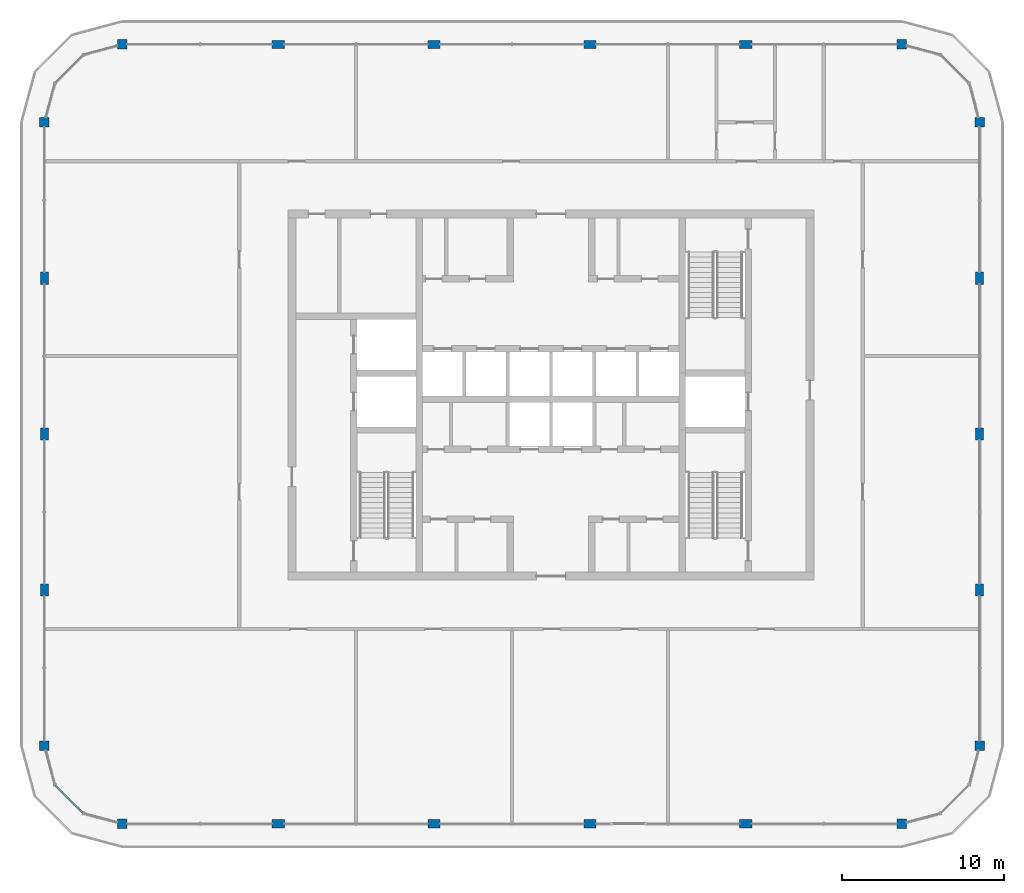
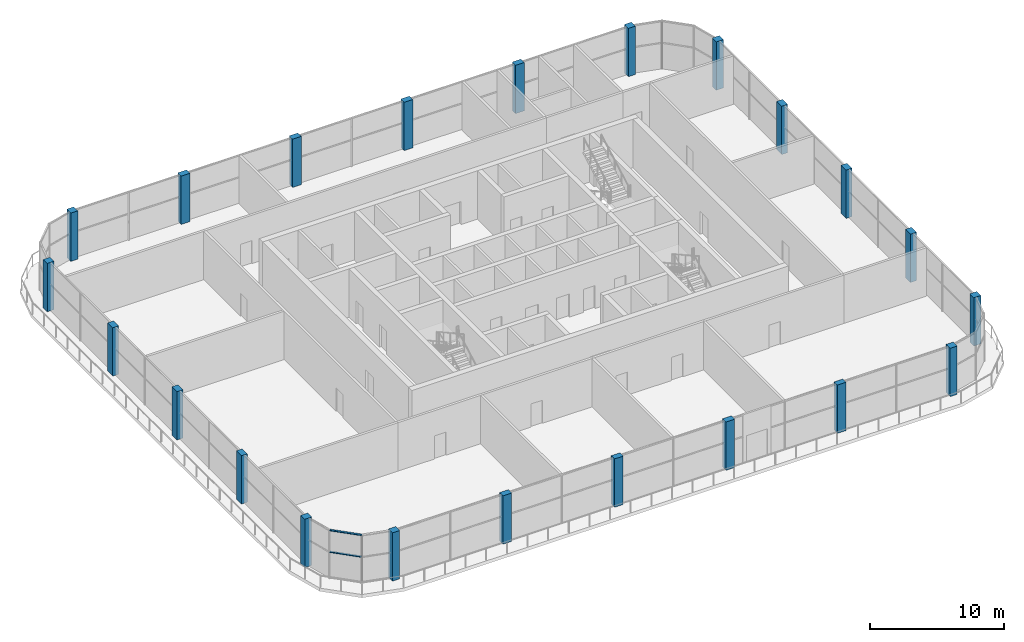
# One storey, part 1 of 15: 22 columns, 2 members, 1 element without a shape of its own.
"""IFC4 building model written with IfcOpenShell, lengths in metres."""

from ifc_helpers import new_model, si_unit, direction, frame, origin, origin_2d, place, context, subcontext, project, spatial, rectangle, extrude, material, layer, layer_set, material_profile, profile_set, type_object, element, aggregate, save


model = new_model("IFC4")

# Units and contexts
model_context = context("Model", 3, precision=1e-05, world=origin(), true_north=direction((0.0, 1.0)))
body_context = subcontext(model_context, "Body", "Model", "MODEL_VIEW")
ifc_project = project(units=[si_unit("LENGTHUNIT", "METRE"), si_unit("AREAUNIT", "SQUARE_METRE"), si_unit("VOLUMEUNIT", "CUBIC_METRE"), si_unit("PLANEANGLEUNIT", "RADIAN"), si_unit("MASSUNIT", "GRAM", prefix="KILO")], contexts=[model_context])

# Site, building, storey
site_placement = place(None, origin())
site = spatial("IfcSite", under=ifc_project, at=site_placement, CompositionType="ELEMENT")
building_placement = place(site_placement, origin())
building = spatial("IfcBuilding", under=site, at=building_placement, Name="Madar Terraces", CompositionType="ELEMENT")
storey_placement = place(building_placement, frame((0.0, 0.0, 291.5)))
storey = spatial("IfcBuildingStorey", under=building, at=storey_placement, Name="L76", CompositionType="ELEMENT", Elevation=291.5)

# Columns
ifc_material_1 = material(Name="Concrete C50/60", Category="concrete")
ifc_material_profile_1 = material_profile(ifc_material_1, rectangle(XDim=0.75, YDim=0.5, at=origin_2d()), Name="CC6 RC 750x500")
ifc_profile_set_1 = profile_set([ifc_material_profile_1], Name="Concrete C50/60")
column_type_1 = type_object("IfcColumnType", Name="CC6 RC 750x500", PredefinedType="COLUMN", material=ifc_profile_set_1)
for number, where, z_axis, x_axis, name in (
    (1, (14.39990234375, 0.0, 0.0), (0.0, 0.0, 1.0), (1.0, 0.0, 0.0), "Perimeter column S2"),
    (2, (24.0, 0.0, 0.0), (0.0, 0.0, 1.0), (1.0, 0.0, 0.0), "Perimeter column S3"),
    (3, (33.60009765625, 0.0, 0.0), (0.0, 0.0, 1.0), (1.0, 0.0, 0.0), "Perimeter column S4"),
    (4, (43.199951171875, 0.0, 0.0), (0.0, 0.0, 1.0), (1.0, 0.0, 0.0), "Perimeter column S5"),
    (5, (57.60009765625, 14.39990234375, 0.0), (0.0, 0.0, 1.0), (0.0, 1.0, 0.0), "Perimeter column E2"),
    (6, (57.60009765625, 24.0, 0.0), (0.0, 0.0, 1.0), (0.0, 1.0, 0.0), "Perimeter column E3"),
    (7, (57.60009765625, 33.60009765625, 0.0), (0.0, 0.0, 1.0), (0.0, 1.0, 0.0), "Perimeter column E4"),
    (8, (43.199951171875, 48.0, 0.0), (0.0, 0.0, 1.0), (1.0, 0.0, 0.0), "Perimeter column N2"),
    (9, (33.60009765625, 48.0, 0.0), (0.0, 0.0, 1.0), (1.0, 0.0, 0.0), "Perimeter column N3"),
    (10, (24.0, 48.0, 0.0), (0.0, 0.0, 1.0), (1.0, 0.0, 0.0), "Perimeter column N4"),
    (11, (14.39990234375, 48.0, 0.0), (0.0, 0.0, 1.0), (1.0, 0.0, 0.0), "Perimeter column N5"),
    (12, (0.0, 33.60009765625, 0.0), (0.0, 0.0, 1.0), (0.0, 1.0, 0.0), "Perimeter column W2"),
    (13, (0.0, 24.0, 0.0), (0.0, 0.0, 1.0), (0.0, 1.0, 0.0), "Perimeter column W3"),
    (14, (0.0, 14.39990234375, 0.0), (0.0, 0.0, 1.0), (0.0, 1.0, 0.0), "Perimeter column W4"),
):
    element("IfcColumn", number, at=place(storey_placement, frame(where, z_axis=z_axis, x_axis=x_axis)), inside=storey, type_object=column_type_1, Name=name, PredefinedType="COLUMN", context=body_context, shape_type="SweptSolid", body=[
        extrude(rectangle(XDim=0.75, YDim=0.5, at=origin_2d()), origin(), (0.0, 0.0, 1.0), 4.39990234375),
    ])
ifc_material_2 = material(Name="Concrete C50/60", Category="concrete")
ifc_material_profile_2 = material_profile(ifc_material_2, rectangle(XDim=0.60009765625, YDim=0.60009765625, at=origin_2d()), Name="KC6 RC 600x600")
ifc_profile_set_2 = profile_set([ifc_material_profile_2], Name="Concrete C50/60")
column_type_2 = type_object("IfcColumnType", Name="KC6 RC 600x600", PredefinedType="COLUMN", material=ifc_profile_set_2)
for number, where, z_axis, x_axis, name in (
    (15, (4.800048828125, 0.0, 0.0), (0.0, 0.0, 1.0), (1.0, 0.0, 0.0), "Perimeter column S1"),
    (16, (52.800048828125, 0.0, 0.0), (0.0, 0.0, 1.0), (1.0, 0.0, 0.0), "Perimeter column S6"),
    (17, (57.60009765625, 4.800048828125, 0.0), (0.0, 0.0, 1.0), (1.0, 0.0, 0.0), "Perimeter column E1"),
    (18, (57.60009765625, 43.199951171875, 0.0), (0.0, 0.0, 1.0), (1.0, 0.0, 0.0), "Perimeter column E5"),
    (19, (52.800048828125, 48.0, 0.0), (0.0, 0.0, 1.0), (1.0, 0.0, 0.0), "Perimeter column N1"),
    (20, (4.800048828125, 48.0, 0.0), (0.0, 0.0, 1.0), (1.0, 0.0, 0.0), "Perimeter column N6"),
    (21, (0.0, 43.199951171875, 0.0), (0.0, 0.0, 1.0), (1.0, 0.0, 0.0), "Perimeter column W1"),
    (22, (0.0, 4.800048828125, 0.0), (0.0, 0.0, 1.0), (1.0, 0.0, 0.0), "Perimeter column W5"),
):
    element("IfcColumn", number, at=place(storey_placement, frame(where, z_axis=z_axis, x_axis=x_axis)), inside=storey, type_object=column_type_2, Name=name, PredefinedType="COLUMN", context=body_context, shape_type="SweptSolid", body=[
        extrude(rectangle(XDim=0.60009765625, YDim=0.60009765625, at=origin_2d()), origin(), (0.0, 0.0, 1.0), 4.39990234375),
    ])

# Curtain wall, members
ifc_material_3 = material(Name="Glass, clear low-iron, with black aluminium frame", Category="aluminium")
ifc_layer = layer(ifc_material_3, 0.199951171875)
ifc_layer_set = layer_set([ifc_layer], Name="Facade curtain wall, observation glazing")
curtain_wall_type = type_object("IfcCurtainWallType", Name="Facade curtain wall, observation glazing", PredefinedType="NOTDEFINED", material=ifc_layer_set)
curtain_wall_placement = place(storey_placement, origin())
curtain_wall = element("IfcCurtainWall", 23, at=curtain_wall_placement, inside=storey, type_object=curtain_wall_type, Name="Outer skin curtain wall south-west corner", PredefinedType="NOTDEFINED")
ifc_material_4 = material(Name="Aluminium, black anodised", Category="aluminium")
ifc_material_profile_3 = material_profile(ifc_material_4, rectangle(XDim=0.1201171875, YDim=0.06005859375, at=origin_2d()), Name="Facade transom 60x120")
ifc_profile_set_3 = profile_set([ifc_material_profile_3], Name="Aluminium, black anodised")
member_type = type_object("IfcMemberType", Name="Facade transom 60x120", PredefinedType="USERDEFINED", material=ifc_profile_set_3)
member_1_placement = place(storey_placement, frame((0.664306640625, 2.37890625, 4.3701171875), z_axis=(0.707106781187, -0.707106781187, 0.0), x_axis=(0.707106781187, 0.707106781187, 0.0)))
member_1 = element("IfcMember", 24, at=member_1_placement, type_object=member_type, Name="Transom 3", ObjectType="TRANSOM", PredefinedType="USERDEFINED", context=body_context, shape_type="SweptSolid", body=[
    extrude(rectangle(XDim=0.1201171875, YDim=0.06005859375, at=origin_2d()), origin(), (0.0, 0.0, 1.0), 2.4248046875),
])
member_2_placement = place(storey_placement, frame((0.664306640625, 2.37890625, 2.39990234375), z_axis=(0.707106781187, -0.707106781187, 0.0), x_axis=(0.707106781187, 0.707106781187, 0.0)))
member_2 = element("IfcMember", 25, at=member_2_placement, type_object=member_type, Name="Transom 4", ObjectType="TRANSOM", PredefinedType="USERDEFINED", context=body_context, shape_type="SweptSolid", body=[
    extrude(rectangle(XDim=0.1201171875, YDim=0.06005859375, at=origin_2d()), origin(), (0.0, 0.0, 1.0), 2.4248046875),
])
aggregate(curtain_wall, [member_1, member_2])

save(model, "model.ifc")
